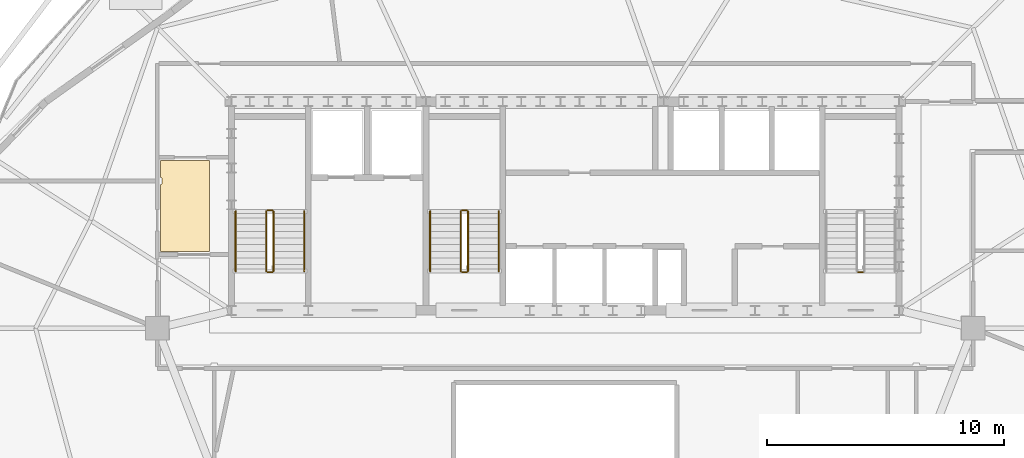
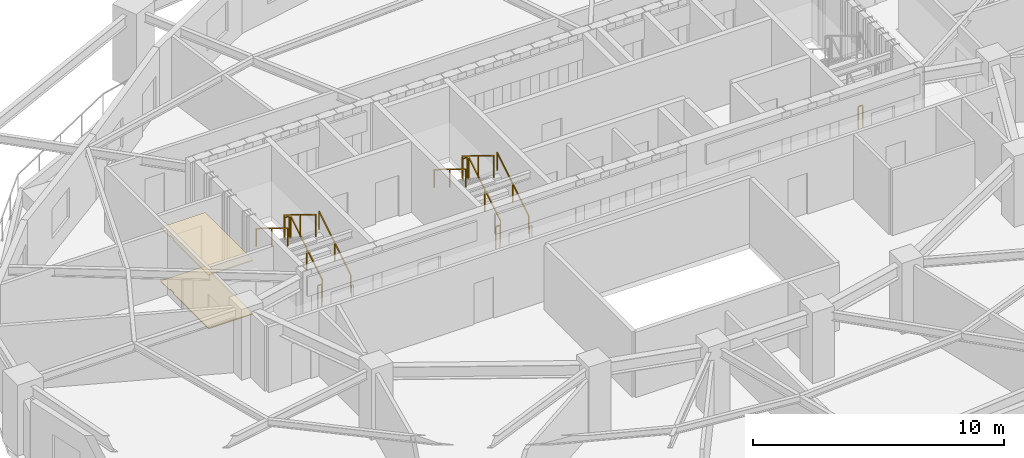
# One storey, part 7 of 10: 13 railings, 2 coverings.
"""IFC4 building model written with IfcOpenShell, lengths in metres."""

from ifc_helpers import new_model, si_unit, direction, frame, origin, origin_2d, place, context, subcontext, project, spatial, polyline, rectangle, outline, extrude, material, layer, layer_set, type_object, element, save


model = new_model("IFC4")

# Units and contexts
model_context = context("Model", 3, precision=1e-05, world=origin(), true_north=direction((0.0, 1.0)))
body_context = subcontext(model_context, "Body", "Model", "MODEL_VIEW")
ifc_project = project(units=[si_unit("LENGTHUNIT", "METRE"), si_unit("AREAUNIT", "SQUARE_METRE"), si_unit("VOLUMEUNIT", "CUBIC_METRE"), si_unit("PLANEANGLEUNIT", "RADIAN"), si_unit("MASSUNIT", "GRAM", prefix="KILO")], contexts=[model_context])

# Site, building, storey
site_placement = place(None, origin())
site = spatial("IfcSite", under=ifc_project, at=site_placement, CompositionType="ELEMENT")
building_placement = place(site_placement, origin())
building = spatial("IfcBuilding", under=site, at=building_placement, Name="Haldorwick Loom Tower", CompositionType="ELEMENT")
storey_placement = place(building_placement, frame((0.0, 0.0, 185.5)))
storey = spatial("IfcBuildingStorey", under=building, at=storey_placement, Name="L50", CompositionType="ELEMENT", Elevation=185.5)

# Coverings
ifc_material_1 = material(Name="Mineral Fibre Acoustic Ceiling Tile")
ifc_layer_1 = layer(ifc_material_1, 0.054931640625, Name="Mineral Fibre Acoustic Ceiling Tile")
ifc_layer_set_1 = layer_set([ifc_layer_1], Name="Mineral Fibre Acoustic Ceiling Tile")
covering_type_1 = type_object("IfcCoveringType", Name="ARC-COV-CEIL2", PredefinedType="CEILING", material=ifc_layer_set_1)
covering_1_placement = place(storey_placement, frame((0.0, 0.0, 2.594970703125)))
element("IfcCovering", 1, at=covering_1_placement, inside=storey, type_object=covering_type_1, Name="L50 Acoustic Suspended Ceiling 2", PredefinedType="CEILING", context=body_context, shape_type="SweptSolid", body=[
    extrude(outline(polyline([(18.969970703125, 32.340087890625), (18.971923828125, 32.33984375), (18.973876953125, 32.339599609375), (18.975830078125, 32.339111328125), (18.977783203125, 32.33837890625), (18.9794921875, 32.337646484375), (18.981201171875, 32.336669921875), (18.982666015625, 32.33544921875), (18.984130859375, 32.333984375), (18.985595703125, 32.332763671875), (18.986572265625, 32.3310546875), (18.987548828125, 32.329345703125), (18.988525390625, 32.32763671875), (18.989013671875, 32.32568359375), (18.989501953125, 32.323974609375), (18.989990234375, 32.322021484375), (18.989990234375, 32.320068359375), (18.989990234375, 32.080078125), (18.989990234375, 32.077880859375), (18.989501953125, 32.076171875), (18.989013671875, 32.07421875), (18.988525390625, 32.072265625), (18.987548828125, 32.070556640625), (18.986572265625, 32.06884765625), (18.985595703125, 32.0673828125), (18.984130859375, 32.06591796875), (18.982666015625, 32.064453125), (18.981201171875, 32.0634765625), (18.9794921875, 32.0625), (18.977783203125, 32.0615234375), (18.975830078125, 32.060791015625), (18.973876953125, 32.060302734375), (18.971923828125, 32.06005859375), (18.969970703125, 32.06005859375), (18.93994140625, 32.06005859375), (18.93994140625, 29.239990234375), (21.0, 29.239990234375), (21.0, 33.06005859375), (18.93994140625, 33.06005859375), (18.93994140625, 32.340087890625), (18.969970703125, 32.340087890625)])), origin(), (0.0, 0.0, 1.0), 0.054931640625),
])
ifc_material_2 = material(Name="Polished Aggregate Terrazzo Finish")
ifc_layer_2 = layer(ifc_material_2, 0.044921875, Name="Polished Aggregate Terrazzo Finish")
ifc_layer_set_2 = layer_set([ifc_layer_2], Name="Polished Aggregate Terrazzo Finish")
covering_type_2 = type_object("IfcCoveringType", Name="ARC-COV-FLOOR2", PredefinedType="FLOORING", material=ifc_layer_set_2)
covering_2_placement = place(storey_placement, origin())
element("IfcCovering", 2, at=covering_2_placement, inside=storey, type_object=covering_type_2, Name="L50 Floor Finish 2", PredefinedType="FLOORING", context=body_context, shape_type="SweptSolid", body=[
    extrude(outline(polyline([(18.969970703125, 32.340087890625), (18.971923828125, 32.33984375), (18.973876953125, 32.339599609375), (18.975830078125, 32.339111328125), (18.977783203125, 32.33837890625), (18.9794921875, 32.337646484375), (18.981201171875, 32.336669921875), (18.982666015625, 32.33544921875), (18.984130859375, 32.333984375), (18.985595703125, 32.332763671875), (18.986572265625, 32.3310546875), (18.987548828125, 32.329345703125), (18.988525390625, 32.32763671875), (18.989013671875, 32.32568359375), (18.989501953125, 32.323974609375), (18.989990234375, 32.322021484375), (18.989990234375, 32.320068359375), (18.989990234375, 32.080078125), (18.989990234375, 32.077880859375), (18.989501953125, 32.076171875), (18.989013671875, 32.07421875), (18.988525390625, 32.072265625), (18.987548828125, 32.070556640625), (18.986572265625, 32.06884765625), (18.985595703125, 32.0673828125), (18.984130859375, 32.06591796875), (18.982666015625, 32.064453125), (18.981201171875, 32.0634765625), (18.9794921875, 32.0625), (18.977783203125, 32.0615234375), (18.975830078125, 32.060791015625), (18.973876953125, 32.060302734375), (18.971923828125, 32.06005859375), (18.969970703125, 32.06005859375), (18.93994140625, 32.06005859375), (18.93994140625, 29.239990234375), (21.0, 29.239990234375), (21.0, 33.06005859375), (18.93994140625, 33.06005859375), (18.93994140625, 32.340087890625), (18.969970703125, 32.340087890625)])), origin(), (0.0, 0.0, 1.0), 0.044921875),
])

# Railings
ifc_material_3 = material(Name="Steel CSA G40.21 350W", Category="steel")
railing_type_1 = type_object("IfcRailingType", Name="ARC-RLG-GUARD112", PredefinedType="GUARDRAIL", material=ifc_material_3)
railing_1_placement = place(storey_placement, frame((23.699951171875, 28.39990234375, 0.172607421875)))
element("IfcRailing", 3, at=railing_1_placement, inside=storey, type_object=railing_type_1, Name="L50 ST-01 stair guard 1", PredefinedType="GUARDRAIL", context=body_context, shape_type="SweptSolid", body=[
    extrude(rectangle(XDim=0.048095703125, YDim=0.048095703125, at=origin_2d()), frame((0.0, 0.0, 1.076171875), z_axis=(0.0, 0.851400495292, 0.524516154772), x_axis=(-1.0, 0.0, 0.0)), (0.0, 0.0, 1.0), 2.9599609375),
    extrude(rectangle(XDim=0.0419921875, YDim=0.0419921875, at=origin_2d()), origin(), (0.0, 0.0, 1.0), 1.052001953125),
    extrude(rectangle(XDim=0.0419921875, YDim=0.0419921875, at=origin_2d()), frame((0.0, 1.260009765625, 0.7763671875)), (0.0, 0.0, 1.0), 1.052001953125),
    extrude(rectangle(XDim=0.0419921875, YDim=0.0419921875, at=origin_2d()), frame((0.0, 2.52001953125, 1.552490234375)), (0.0, 0.0, 1.0), 1.052001953125),
])
railing_2_placement = place(storey_placement, frame((23.64990234375, 30.969970703125, 1.72509765625)))
element("IfcRailing", 4, at=railing_2_placement, inside=storey, type_object=railing_type_1, Name="L50 ST-01 stair guard 2", PredefinedType="GUARDRAIL", context=body_context, shape_type="SweptSolid", body=[
    extrude(rectangle(XDim=0.048095703125, YDim=0.048095703125, at=origin_2d()), frame((0.0, 0.0, 1.076171875), z_axis=(-1.0, 0.0, 0.0), x_axis=(0.0, -1.0, 0.0)), (0.0, 0.0, 1.0), 0.199951171875),
    extrude(rectangle(XDim=0.0419921875, YDim=0.0419921875, at=origin_2d()), origin(), (0.0, 0.0, 1.0), 1.052001953125),
    extrude(rectangle(XDim=0.0419921875, YDim=0.0419921875, at=origin_2d()), frame((-0.199951171875, 0.0, 0.0)), (0.0, 0.0, 1.0), 1.052001953125),
])
railing_3_placement = place(storey_placement, frame((23.39990234375, 30.919921875, 1.8974609375)))
element("IfcRailing", 5, at=railing_3_placement, inside=storey, type_object=railing_type_1, Name="L50 ST-01 stair guard 3", PredefinedType="GUARDRAIL", context=body_context, shape_type="SweptSolid", body=[
    extrude(rectangle(XDim=0.048095703125, YDim=0.048095703125, at=origin_2d()), frame((0.0, 0.0, 1.076171875), z_axis=(0.0, -0.851400495292, 0.524516154772), x_axis=(1.0, 0.0, 0.0)), (0.0, 0.0, 1.0), 2.9599609375),
    extrude(rectangle(XDim=0.0419921875, YDim=0.0419921875, at=origin_2d()), origin(), (0.0, 0.0, 1.0), 1.052001953125),
    extrude(rectangle(XDim=0.0419921875, YDim=0.0419921875, at=origin_2d()), frame((0.0, -1.260009765625, 0.7763671875)), (0.0, 0.0, 1.0), 1.052001953125),
    extrude(rectangle(XDim=0.0419921875, YDim=0.0419921875, at=origin_2d()), frame((0.0, -2.52001953125, 1.552490234375)), (0.0, 0.0, 1.0), 1.052001953125),
])
for number, where, name in (
    (6, (23.64990234375, 28.35009765625, 0.0), "L50 ST-01 stair guard 4"),
    (7, (48.550048828125, 28.35009765625, 0.0), "L50 ST-02 stair guard 4"),
):
    element("IfcRailing", number, at=place(storey_placement, frame(where)), inside=storey, type_object=railing_type_1, Name=name, PredefinedType="GUARDRAIL", context=body_context, shape_type="SweptSolid", body=[
        extrude(rectangle(XDim=0.048095703125, YDim=0.048095703125, at=origin_2d()), frame((0.0, 0.0, 1.076171875), z_axis=(-1.0, 0.0, 0.0), x_axis=(0.0, -1.0, 0.0)), (0.0, 0.0, 1.0), 0.199951171875),
        extrude(rectangle(XDim=0.0419921875, YDim=0.0419921875, at=origin_2d()), origin(), (0.0, 0.0, 1.0), 1.052001953125),
        extrude(rectangle(XDim=0.0419921875, YDim=0.0419921875, at=origin_2d()), frame((-0.199951171875, 0.0, 0.0)), (0.0, 0.0, 1.0), 1.052001953125),
    ])
railing_4_placement = place(storey_placement, frame((31.89990234375, 28.39990234375, 0.172607421875)))
element("IfcRailing", 8, at=railing_4_placement, inside=storey, type_object=railing_type_1, Name="L50 ST-03 stair guard 1", PredefinedType="GUARDRAIL", context=body_context, shape_type="SweptSolid", body=[
    extrude(rectangle(XDim=0.048095703125, YDim=0.048095703125, at=origin_2d()), frame((0.0, 0.0, 1.076171875), z_axis=(0.0, 0.851400495292, 0.524516154772), x_axis=(-1.0, 0.0, 0.0)), (0.0, 0.0, 1.0), 2.9599609375),
    extrude(rectangle(XDim=0.0419921875, YDim=0.0419921875, at=origin_2d()), origin(), (0.0, 0.0, 1.0), 1.052001953125),
    extrude(rectangle(XDim=0.0419921875, YDim=0.0419921875, at=origin_2d()), frame((0.0, 1.260009765625, 0.7763671875)), (0.0, 0.0, 1.0), 1.052001953125),
    extrude(rectangle(XDim=0.0419921875, YDim=0.0419921875, at=origin_2d()), frame((0.0, 2.52001953125, 1.552490234375)), (0.0, 0.0, 1.0), 1.052001953125),
])
railing_5_placement = place(storey_placement, frame((31.85009765625, 30.969970703125, 1.72509765625)))
element("IfcRailing", 9, at=railing_5_placement, inside=storey, type_object=railing_type_1, Name="L50 ST-03 stair guard 2", PredefinedType="GUARDRAIL", context=body_context, shape_type="SweptSolid", body=[
    extrude(rectangle(XDim=0.048095703125, YDim=0.048095703125, at=origin_2d()), frame((0.0, 0.0, 1.076171875), z_axis=(-1.0, 0.0, 0.0), x_axis=(0.0, -1.0, 0.0)), (0.0, 0.0, 1.0), 0.2001953125),
    extrude(rectangle(XDim=0.0419921875, YDim=0.0419921875, at=origin_2d()), origin(), (0.0, 0.0, 1.0), 1.052001953125),
    extrude(rectangle(XDim=0.0419921875, YDim=0.0419921875, at=origin_2d()), frame((-0.2001953125, 0.0, 0.0)), (0.0, 0.0, 1.0), 1.052001953125),
])
railing_6_placement = place(storey_placement, frame((31.60009765625, 30.919921875, 1.8974609375)))
element("IfcRailing", 10, at=railing_6_placement, inside=storey, type_object=railing_type_1, Name="L50 ST-03 stair guard 3", PredefinedType="GUARDRAIL", context=body_context, shape_type="SweptSolid", body=[
    extrude(rectangle(XDim=0.048095703125, YDim=0.048095703125, at=origin_2d()), frame((0.0, 0.0, 1.076171875), z_axis=(0.0, -0.851400495292, 0.524516154772), x_axis=(1.0, 0.0, 0.0)), (0.0, 0.0, 1.0), 2.9599609375),
    extrude(rectangle(XDim=0.0419921875, YDim=0.0419921875, at=origin_2d()), origin(), (0.0, 0.0, 1.0), 1.052001953125),
    extrude(rectangle(XDim=0.0419921875, YDim=0.0419921875, at=origin_2d()), frame((0.0, -1.260009765625, 0.7763671875)), (0.0, 0.0, 1.0), 1.052001953125),
    extrude(rectangle(XDim=0.0419921875, YDim=0.0419921875, at=origin_2d()), frame((0.0, -2.52001953125, 1.552490234375)), (0.0, 0.0, 1.0), 1.052001953125),
])
railing_7_placement = place(storey_placement, frame((31.85009765625, 28.35009765625, 0.0)))
element("IfcRailing", 11, at=railing_7_placement, inside=storey, type_object=railing_type_1, Name="L50 ST-03 stair guard 4", PredefinedType="GUARDRAIL", context=body_context, shape_type="SweptSolid", body=[
    extrude(rectangle(XDim=0.048095703125, YDim=0.048095703125, at=origin_2d()), frame((0.0, 0.0, 1.076171875), z_axis=(-1.0, 0.0, 0.0), x_axis=(0.0, -1.0, 0.0)), (0.0, 0.0, 1.0), 0.2001953125),
    extrude(rectangle(XDim=0.0419921875, YDim=0.0419921875, at=origin_2d()), origin(), (0.0, 0.0, 1.0), 1.052001953125),
    extrude(rectangle(XDim=0.0419921875, YDim=0.0419921875, at=origin_2d()), frame((-0.2001953125, 0.0, 0.0)), (0.0, 0.0, 1.0), 1.052001953125),
])
railing_type_2 = type_object("IfcRailingType", Name="ARC-RLG-HAND092", PredefinedType="HANDRAIL", material=ifc_material_3)
railing_8_placement = place(storey_placement, frame((25.0, 28.39990234375, 0.172607421875)))
element("IfcRailing", 12, at=railing_8_placement, inside=storey, type_object=railing_type_2, Name="L50 ST-01 stair handrail 1", PredefinedType="HANDRAIL", context=body_context, shape_type="SweptSolid", body=[
    extrude(rectangle(XDim=0.048095703125, YDim=0.048095703125, at=origin_2d()), frame((0.0, 0.0, 0.8759765625), z_axis=(0.0, 0.851400495292, 0.524516154772), x_axis=(-1.0, 0.0, 0.0)), (0.0, 0.0, 1.0), 2.9599609375),
    extrude(rectangle(XDim=0.0419921875, YDim=0.0419921875, at=origin_2d()), origin(), (0.0, 0.0, 1.0), 0.851806640625),
    extrude(rectangle(XDim=0.0419921875, YDim=0.0419921875, at=origin_2d()), frame((0.0, 1.260009765625, 0.7763671875)), (0.0, 0.0, 1.0), 0.851806640625),
    extrude(rectangle(XDim=0.0419921875, YDim=0.0419921875, at=origin_2d()), frame((0.0, 2.52001953125, 1.552490234375)), (0.0, 0.0, 1.0), 0.851806640625),
])
railing_9_placement = place(storey_placement, frame((22.10009765625, 30.919921875, 1.8974609375)))
element("IfcRailing", 13, at=railing_9_placement, inside=storey, type_object=railing_type_2, Name="L50 ST-01 stair handrail 2", PredefinedType="HANDRAIL", context=body_context, shape_type="SweptSolid", body=[
    extrude(rectangle(XDim=0.048095703125, YDim=0.048095703125, at=origin_2d()), frame((0.0, 0.0, 0.8759765625), z_axis=(0.0, -0.851400495292, 0.524516154772), x_axis=(1.0, 0.0, 0.0)), (0.0, 0.0, 1.0), 2.9599609375),
    extrude(rectangle(XDim=0.0419921875, YDim=0.0419921875, at=origin_2d()), origin(), (0.0, 0.0, 1.0), 0.851806640625),
    extrude(rectangle(XDim=0.0419921875, YDim=0.0419921875, at=origin_2d()), frame((0.0, -1.260009765625, 0.7763671875)), (0.0, 0.0, 1.0), 0.851806640625),
    extrude(rectangle(XDim=0.0419921875, YDim=0.0419921875, at=origin_2d()), frame((0.0, -2.52001953125, 1.552490234375)), (0.0, 0.0, 1.0), 0.851806640625),
])
railing_10_placement = place(storey_placement, frame((33.199951171875, 28.39990234375, 0.172607421875)))
element("IfcRailing", 14, at=railing_10_placement, inside=storey, type_object=railing_type_2, Name="L50 ST-03 stair handrail 1", PredefinedType="HANDRAIL", context=body_context, shape_type="SweptSolid", body=[
    extrude(rectangle(XDim=0.048095703125, YDim=0.048095703125, at=origin_2d()), frame((0.0, 0.0, 0.8759765625), z_axis=(0.0, 0.851400495292, 0.524516154772), x_axis=(-1.0, 0.0, 0.0)), (0.0, 0.0, 1.0), 2.9599609375),
    extrude(rectangle(XDim=0.0419921875, YDim=0.0419921875, at=origin_2d()), origin(), (0.0, 0.0, 1.0), 0.851806640625),
    extrude(rectangle(XDim=0.0419921875, YDim=0.0419921875, at=origin_2d()), frame((0.0, 1.260009765625, 0.7763671875)), (0.0, 0.0, 1.0), 0.851806640625),
    extrude(rectangle(XDim=0.0419921875, YDim=0.0419921875, at=origin_2d()), frame((0.0, 2.52001953125, 1.552490234375)), (0.0, 0.0, 1.0), 0.851806640625),
])
railing_11_placement = place(storey_placement, frame((30.300048828125, 30.919921875, 1.8974609375)))
element("IfcRailing", 15, at=railing_11_placement, inside=storey, type_object=railing_type_2, Name="L50 ST-03 stair handrail 2", PredefinedType="HANDRAIL", context=body_context, shape_type="SweptSolid", body=[
    extrude(rectangle(XDim=0.048095703125, YDim=0.048095703125, at=origin_2d()), frame((0.0, 0.0, 0.8759765625), z_axis=(0.0, -0.851400495292, 0.524516154772), x_axis=(1.0, 0.0, 0.0)), (0.0, 0.0, 1.0), 2.9599609375),
    extrude(rectangle(XDim=0.0419921875, YDim=0.0419921875, at=origin_2d()), origin(), (0.0, 0.0, 1.0), 0.851806640625),
    extrude(rectangle(XDim=0.0419921875, YDim=0.0419921875, at=origin_2d()), frame((0.0, -1.260009765625, 0.7763671875)), (0.0, 0.0, 1.0), 0.851806640625),
    extrude(rectangle(XDim=0.0419921875, YDim=0.0419921875, at=origin_2d()), frame((0.0, -2.52001953125, 1.552490234375)), (0.0, 0.0, 1.0), 0.851806640625),
])

save(model, "model.ifc")
